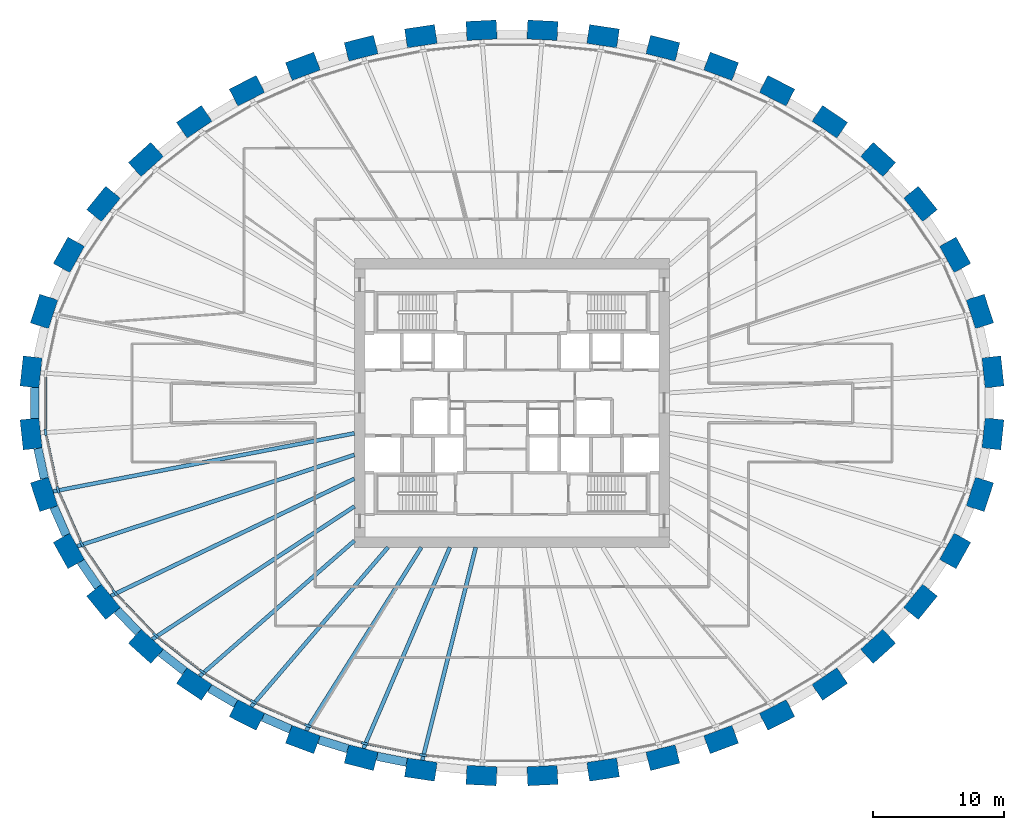
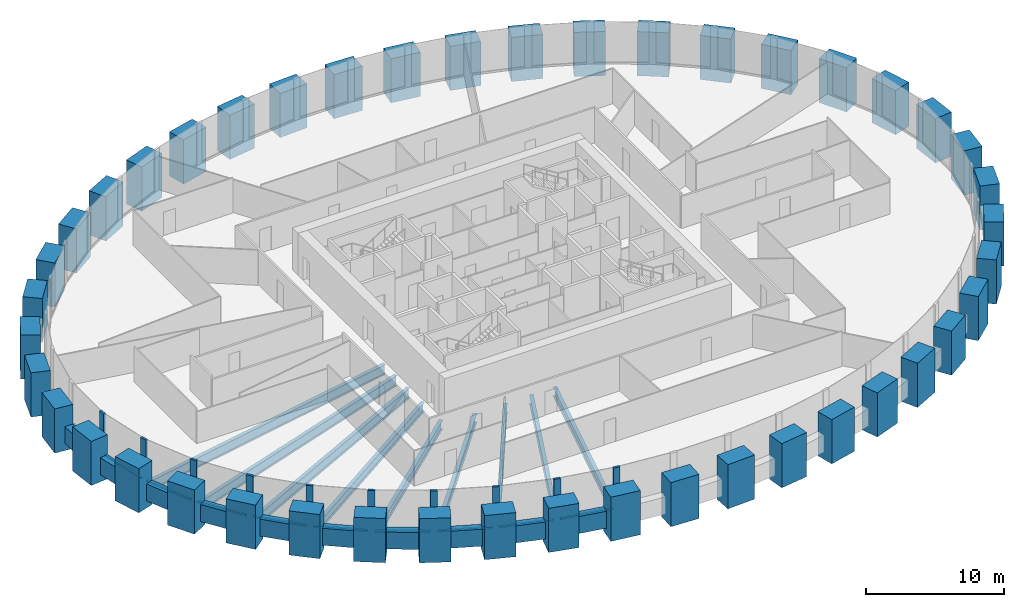
# One storey, part 1 of 11: 44 columns, 20 members, 19 beams, 1 element without a shape of its own.
"""IFC4 building model written with IfcOpenShell, lengths in metres."""

from ifc_helpers import new_model, si_unit, direction, frame, origin, origin_2d, place, context, subcontext, project, spatial, rectangle, i_section, extrude, source, transform, mapped, material, material_profile, profile_set, type_object, element, aggregate, save


model = new_model("IFC4")

# Units and contexts
model_context = context("Model", 3, precision=1e-05, world=origin(), true_north=direction((0.0, 1.0)))
body_context = subcontext(model_context, "Body", "Model", "MODEL_VIEW")
ifc_project = project(units=[si_unit("LENGTHUNIT", "METRE"), si_unit("AREAUNIT", "SQUARE_METRE"), si_unit("VOLUMEUNIT", "CUBIC_METRE"), si_unit("PLANEANGLEUNIT", "RADIAN"), si_unit("MASSUNIT", "GRAM", prefix="KILO")], contexts=[model_context])

# Site, building, storey
site_placement = place(None, origin())
site = spatial("IfcSite", under=ifc_project, at=site_placement, CompositionType="ELEMENT")
building_placement = place(site_placement, origin())
building = spatial("IfcBuilding", under=site, at=building_placement, Name="Embergate Tower", CompositionType="ELEMENT")
storey_placement = place(building_placement, frame((0.0, 0.0, 187.199951171875)))
storey = spatial("IfcBuildingStorey", under=building, at=storey_placement, Name="L42", CompositionType="ELEMENT", Elevation=187.199951171875)

# Columns
ifc_material_1 = material(Name="Concrete C70", Category="concrete")
ifc_material_profile_1 = material_profile(ifc_material_1, rectangle(XDim=1.449951171875, YDim=2.300048828125, at=origin_2d()), Name="RC 1450x2300")
ifc_profile_set_1 = profile_set([ifc_material_profile_1], Name="Concrete C70")
column_type = type_object("IfcColumnType", Name="Ring column RC 1450x2300 C70", PredefinedType="COLUMN", material=ifc_profile_set_1)
shared_shape_1 = source(origin(), body_context, "Body", "SweptSolid", [
    extrude(rectangle(XDim=1.449951171875, YDim=2.300048828125, at=origin_2d()), origin(), (0.0, 0.0, 1.0), 3.89990234375),
])
for number, where, z_axis, x_axis, name in (
    (1, (36.626953125, 2.35791015625, -1.39990234375), (0.0, 0.0, 1.0), (0.99428589498, 0.106749983816, 0.0), "COL-L42-00"),
    (2, (35.635009765625, 6.966064453125, -1.39990234375), (0.0, 0.0, 1.0), (0.950754033697, 0.309946394413, 0.0), "COL-L42-01"),
    (3, (33.74609375, 11.27294921875, -1.39990234375), (0.0, 0.0, 1.0), (0.873500465855, 0.486823311018, 0.0), "COL-L42-02"),
    (4, (31.10888671875, 15.152099609375, -1.39990234375), (0.0, 0.0, 1.0), (0.775925311702, 0.630824786022, 0.0), "COL-L42-03"),
    (5, (27.8798828125, 18.5380859375, -1.39990234375), (0.0, 0.0, 1.0), (0.669208424634, 0.74307475021, 0.0), "COL-L42-04"),
    (6, (24.200927734375, 21.409912109375, -1.39990234375), (0.0, 0.0, 1.0), (0.560393279442, 0.828226643109, 0.0), "COL-L42-05"),
    (7, (20.18603515625, 23.77099609375, -1.39990234375), (0.0, 0.0, 1.0), (0.453010512651, 0.891505174089, 0.0), "COL-L42-06"),
    (8, (15.925048828125, 25.634033203125, -1.39990234375), (0.0, 0.0, 1.0), (0.348343015724, 0.93736713373, 0.0), "COL-L42-07"),
    (9, (11.489013671875, 27.01611328125, -1.39990234375), (0.0, 0.0, 1.0), (0.24650851817, 0.969140624713, 0.0), "COL-L42-08"),
    (10, (6.93798828125, 27.927978515625, -1.39990234375), (0.0, 0.0, 1.0), (0.146929011949, 0.989147039346, 0.0), "COL-L42-09"),
    (11, (2.320068359375, 28.382080078125, -1.39990234375), (0.0, 0.0, 1.0), (0.048814904854, 0.998807841912, 0.0), "COL-L42-10"),
    (12, (-2.320068359375, 28.382080078125, -1.39990234375), (0.0, 0.0, 1.0), (-0.048814904854, 0.998807841912, 0.0), "COL-L42-11"),
    (13, (-6.93798828125, 27.927978515625, -1.39990234375), (0.0, 0.0, 1.0), (-0.146929011949, 0.989147039346, 0.0), "COL-L42-12"),
    (14, (-11.489013671875, 27.01611328125, -1.39990234375), (0.0, 0.0, 1.0), (-0.24650851817, 0.969140624713, 0.0), "COL-L42-13"),
    (15, (-15.925048828125, 25.634033203125, -1.39990234375), (0.0, 0.0, 1.0), (-0.348343015724, 0.93736713373, 0.0), "COL-L42-14"),
    (16, (-20.18603515625, 23.77099609375, -1.39990234375), (0.0, 0.0, 1.0), (-0.453010512651, 0.891505174089, 0.0), "COL-L42-15"),
    (17, (-24.200927734375, 21.409912109375, -1.39990234375), (0.0, 0.0, 1.0), (-0.560393279442, 0.828226643109, 0.0), "COL-L42-16"),
    (18, (-27.8798828125, 18.5380859375, -1.39990234375), (0.0, 0.0, 1.0), (-0.669208424634, 0.74307475021, 0.0), "COL-L42-17"),
    (19, (-31.10888671875, 15.152099609375, -1.39990234375), (0.0, 0.0, 1.0), (-0.775925311702, 0.630824786022, 0.0), "COL-L42-18"),
    (20, (-33.74609375, 11.27294921875, -1.39990234375), (0.0, 0.0, 1.0), (-0.873500465855, 0.486823311018, 0.0), "COL-L42-19"),
    (21, (-35.635009765625, 6.966064453125, -1.39990234375), (0.0, 0.0, 1.0), (-0.950754033697, 0.309946394413, 0.0), "COL-L42-20"),
    (22, (-36.626953125, 2.35791015625, -1.39990234375), (0.0, 0.0, 1.0), (-0.99428589498, 0.106749983816, 0.0), "COL-L42-21"),
    (23, (-36.626953125, -2.35791015625, -1.39990234375), (0.0, 0.0, 1.0), (-0.99428589498, -0.106749983816, 0.0), "COL-L42-22"),
    (24, (-35.635009765625, -6.966064453125, -1.39990234375), (0.0, 0.0, 1.0), (-0.950754033697, -0.309946394413, 0.0), "COL-L42-23"),
    (25, (-33.74609375, -11.27294921875, -1.39990234375), (0.0, 0.0, 1.0), (-0.873500465855, -0.486823311018, 0.0), "COL-L42-24"),
    (26, (-31.10888671875, -15.152099609375, -1.39990234375), (0.0, 0.0, 1.0), (-0.775925311702, -0.630824786022, 0.0), "COL-L42-25"),
    (27, (-27.8798828125, -18.5380859375, -1.39990234375), (0.0, 0.0, 1.0), (-0.669208424634, -0.74307475021, 0.0), "COL-L42-26"),
    (28, (-24.200927734375, -21.409912109375, -1.39990234375), (0.0, 0.0, 1.0), (-0.560393279442, -0.828226643109, 0.0), "COL-L42-27"),
    (29, (-20.18603515625, -23.77099609375, -1.39990234375), (0.0, 0.0, 1.0), (-0.453010512651, -0.891505174089, 0.0), "COL-L42-28"),
    (30, (-15.925048828125, -25.634033203125, -1.39990234375), (0.0, 0.0, 1.0), (-0.348343015724, -0.93736713373, 0.0), "COL-L42-29"),
    (31, (-11.489013671875, -27.01611328125, -1.39990234375), (0.0, 0.0, 1.0), (-0.24650851817, -0.969140624713, 0.0), "COL-L42-30"),
    (32, (-6.93798828125, -27.927978515625, -1.39990234375), (0.0, 0.0, 1.0), (-0.146929011949, -0.989147039346, 0.0), "COL-L42-31"),
    (33, (-2.320068359375, -28.382080078125, -1.39990234375), (0.0, 0.0, 1.0), (-0.048814904854, -0.998807841912, 0.0), "COL-L42-32"),
    (34, (2.320068359375, -28.382080078125, -1.39990234375), (0.0, 0.0, 1.0), (0.048814904854, -0.998807841912, 0.0), "COL-L42-33"),
    (35, (6.93798828125, -27.927978515625, -1.39990234375), (0.0, 0.0, 1.0), (0.146929011949, -0.989147039346, 0.0), "COL-L42-34"),
    (36, (11.489013671875, -27.01611328125, -1.39990234375), (0.0, 0.0, 1.0), (0.24650851817, -0.969140624713, 0.0), "COL-L42-35"),
    (37, (15.925048828125, -25.634033203125, -1.39990234375), (0.0, 0.0, 1.0), (0.348343015724, -0.93736713373, 0.0), "COL-L42-36"),
    (38, (20.18603515625, -23.77099609375, -1.39990234375), (0.0, 0.0, 1.0), (0.453010512651, -0.891505174089, 0.0), "COL-L42-37"),
    (39, (24.200927734375, -21.409912109375, -1.39990234375), (0.0, 0.0, 1.0), (0.560393279442, -0.828226643109, 0.0), "COL-L42-38"),
    (40, (27.8798828125, -18.5380859375, -1.39990234375), (0.0, 0.0, 1.0), (0.669208424634, -0.74307475021, 0.0), "COL-L42-39"),
    (41, (31.10888671875, -15.152099609375, -1.39990234375), (0.0, 0.0, 1.0), (0.775925311702, -0.630824786022, 0.0), "COL-L42-40"),
    (42, (33.74609375, -11.27294921875, -1.39990234375), (0.0, 0.0, 1.0), (0.873500465855, -0.486823311018, 0.0), "COL-L42-41"),
    (43, (35.635009765625, -6.966064453125, -1.39990234375), (0.0, 0.0, 1.0), (0.950754033697, -0.309946394413, 0.0), "COL-L42-42"),
    (44, (36.626953125, -2.35791015625, -1.39990234375), (0.0, 0.0, 1.0), (0.99428589498, -0.106749983816, 0.0), "COL-L42-43"),
):
    element("IfcColumn", number, at=place(storey_placement, frame(where, z_axis=z_axis, x_axis=x_axis)), inside=storey, type_object=column_type, Name=name, PredefinedType="COLUMN", context=body_context, shape_type="MappedRepresentation", body=[
        mapped(shared_shape_1, transform((0.0, 0.0, 0.0))),
    ])

# Beams
ifc_material_profile_2 = material_profile(ifc_material_1, rectangle(XDim=0.64990234375, YDim=1.5, at=origin_2d()), Name="RC 650x1500")
ifc_profile_set_2 = profile_set([ifc_material_profile_2], Name="Concrete C70")
beam_type_1 = type_object("IfcBeamType", Name="Spandrel beam RC 650x1500 C70", PredefinedType="BEAM", material=ifc_profile_set_2)
shared_shape_2 = source(origin(), body_context, "Body", "SweptSolid", [
    extrude(rectangle(XDim=0.64990234375, YDim=1.5, at=origin_2d()), origin(), (0.0, 0.0, 1.0), 2.34375),
])
beam_1_placement = place(storey_placement, frame((-36.10791015625, -3.458984375, 0.0), z_axis=(0.210738330645, -0.977542508537, 0.0), x_axis=(0.977542508537, 0.210738330645, 0.0)))
element("IfcBeam", 45, at=beam_1_placement, inside=storey, type_object=beam_type_1, Name="SPN-L42-22", PredefinedType="BEAM", context=body_context, shape_type="MappedRepresentation", body=[
    mapped(shared_shape_2, transform((0.0, 0.0, 0.0))),
])
shared_shape_3 = source(origin(), body_context, "Body", "SweptSolid", [
    extrude(rectangle(XDim=0.64990234375, YDim=1.5, at=origin_2d()), origin(), (0.0, 0.0, 1.0), 2.3349609375),
])
beam_2_placement = place(storey_placement, frame((-34.887939453125, -7.931884765625, 0.0), z_axis=(0.401729187016, -0.915758516368, 0.0), x_axis=(0.915758516368, 0.401729187016, 0.0)))
element("IfcBeam", 46, at=beam_2_placement, inside=storey, type_object=beam_type_1, Name="SPN-L42-23", PredefinedType="BEAM", context=body_context, shape_type="MappedRepresentation", body=[
    mapped(shared_shape_3, transform((0.0, 0.0, 0.0))),
])
shared_shape_4 = source(origin(), body_context, "Body", "SweptSolid", [
    extrude(rectangle(XDim=0.64990234375, YDim=1.5, at=origin_2d()), origin(), (0.0, 0.0, 1.0), 2.329345703125),
])
beam_3_placement = place(storey_placement, frame((-32.8359375, -12.0830078125, 0.0), z_axis=(0.562416089232, -0.826854366, 0.0), x_axis=(0.826854366, 0.562416089232, 0.0)))
element("IfcBeam", 47, at=beam_3_placement, inside=storey, type_object=beam_type_1, Name="SPN-L42-24", PredefinedType="BEAM", context=body_context, shape_type="MappedRepresentation", body=[
    mapped(shared_shape_4, transform((0.0, 0.0, 0.0))),
])
shared_shape_5 = source(origin(), body_context, "Body", "SweptSolid", [
    extrude(rectangle(XDim=0.64990234375, YDim=1.5, at=origin_2d()), origin(), (0.0, 0.0, 1.0), 2.322265625),
])
beam_4_placement = place(storey_placement, frame((-30.06591796875, -15.785888671875, 0.0), z_axis=(0.690300694886, -0.723522598569, 0.0), x_axis=(0.723522598569, 0.690300694886, 0.0)))
element("IfcBeam", 48, at=beam_4_placement, inside=storey, type_object=beam_type_1, Name="SPN-L42-25", PredefinedType="BEAM", context=body_context, shape_type="MappedRepresentation", body=[
    mapped(shared_shape_5, transform((0.0, 0.0, 0.0))),
])
shared_shape_6 = source(origin(), body_context, "Body", "SweptSolid", [
    extrude(rectangle(XDim=0.64990234375, YDim=1.5, at=origin_2d()), origin(), (0.0, 0.0, 1.0), 2.31787109375),
])
beam_5_placement = place(storey_placement, frame((-26.758056640625, -19.010009765625, 0.0), z_axis=(0.788324506127, -0.615259679354, 0.0), x_axis=(0.615259679354, 0.788324506127, 0.0)))
element("IfcBeam", 49, at=beam_5_placement, inside=storey, type_object=beam_type_1, Name="SPN-L42-26", PredefinedType="BEAM", context=body_context, shape_type="MappedRepresentation", body=[
    mapped(shared_shape_6, transform((0.0, 0.0, 0.0))),
])
shared_shape_7 = source(origin(), body_context, "Body", "SweptSolid", [
    extrude(rectangle(XDim=0.64990234375, YDim=1.5, at=origin_2d()), origin(), (0.0, 0.0, 1.0), 2.31298828125),
])
beam_6_placement = place(storey_placement, frame((-23.029052734375, -21.72998046875, 0.0), z_axis=(0.86210510292, -0.506729505279, 0.0), x_axis=(0.506729505279, 0.86210510292, 0.0)))
element("IfcBeam", 50, at=beam_6_placement, inside=storey, type_object=beam_type_1, Name="SPN-L42-27", PredefinedType="BEAM", context=body_context, shape_type="MappedRepresentation", body=[
    mapped(shared_shape_7, transform((0.0, 0.0, 0.0))),
])
shared_shape_8 = source(origin(), body_context, "Body", "SweptSolid", [
    extrude(rectangle(XDim=0.64990234375, YDim=1.5, at=origin_2d()), origin(), (0.0, 0.0, 1.0), 2.30810546875),
])
beam_7_placement = place(storey_placement, frame((-18.97705078125, -23.929931640625, 0.0), z_axis=(0.91635386748, -0.40036931645, 0.0), x_axis=(0.40036931645, 0.91635386748, 0.0)))
element("IfcBeam", 51, at=beam_7_placement, inside=storey, type_object=beam_type_1, Name="SPN-L42-28", PredefinedType="BEAM", context=body_context, shape_type="MappedRepresentation", body=[
    mapped(shared_shape_8, transform((0.0, 0.0, 0.0))),
])
shared_shape_9 = source(origin(), body_context, "Body", "SweptSolid", [
    extrude(rectangle(XDim=0.64990234375, YDim=1.5, at=origin_2d()), origin(), (0.0, 0.0, 1.0), 2.306640625),
])
beam_8_placement = place(storey_placement, frame((-14.70703125, -25.657958984375, 0.0), z_axis=(0.954743281812, -0.297431111074, 0.0), x_axis=(0.297431111074, 0.954743281812, 0.0)))
element("IfcBeam", 52, at=beam_8_placement, inside=storey, type_object=beam_type_1, Name="SPN-L42-29", PredefinedType="BEAM", context=body_context, shape_type="MappedRepresentation", body=[
    mapped(shared_shape_9, transform((0.0, 0.0, 0.0))),
])
shared_shape_10 = source(origin(), body_context, "Body", "SweptSolid", [
    extrude(rectangle(XDim=0.64990234375, YDim=1.5, at=origin_2d()), origin(), (0.0, 0.0, 1.0), 2.3037109375),
])
beam_9_placement = place(storey_placement, frame((-10.27587890625, -26.9130859375, 0.0), z_axis=(0.980486815957, -0.196584851232, 0.0), x_axis=(0.196584851232, 0.980486815957, 0.0)))
element("IfcBeam", 53, at=beam_9_placement, inside=storey, type_object=beam_type_1, Name="SPN-L42-30", PredefinedType="BEAM", context=body_context, shape_type="MappedRepresentation", body=[
    mapped(shared_shape_10, transform((0.0, 0.0, 0.0))),
])
shared_shape_11 = source(origin(), body_context, "Body", "SweptSolid", [
    extrude(rectangle(XDim=0.64990234375, YDim=1.5, at=origin_2d()), origin(), (0.0, 0.0, 1.0), 2.34423828125),
])
beam_10_placement = place(storey_placement, frame((-36.35107421875, 1.172119140625, 0.0), z_axis=(0.0, -1.0, 0.0), x_axis=(1.0, 0.0, 0.0)))
element("IfcBeam", 54, at=beam_10_placement, inside=storey, type_object=beam_type_1, Name="SPN-L42-21", PredefinedType="BEAM", context=body_context, shape_type="MappedRepresentation", body=[
    mapped(shared_shape_11, transform((0.0, 0.0, 0.0))),
])
ifc_material_2 = material(Name="Steel Q355B", Category="steel")
ifc_material_profile_3 = material_profile(ifc_material_2, i_section(OverallWidth=0.300048828125, OverallDepth=0.89990234375, WebThickness=0.01611328125, FlangeThickness=0.028076171875, FilletRadius=0.028076171875, at=origin_2d()), Name="HN 900x300x16x28")
ifc_profile_set_3 = profile_set([ifc_material_profile_3], Name="Steel Q355 grade B")
beam_type_2 = type_object("IfcBeamType", Name="Radial girder HN 900x300x16x28", PredefinedType="BEAM", material=ifc_profile_set_3)
shared_shape_12 = source(origin(), body_context, "Body", "SweptSolid", [
    extrude(i_section(OverallWidth=0.300048828125, OverallDepth=0.89990234375, WebThickness=0.01611328125, FlangeThickness=0.028076171875, FilletRadius=0.028076171875, at=origin_2d()), origin(), (0.0, 0.0, 1.0), 23.368896484375),
])
beam_11_placement = place(storey_placement, frame((-34.946044921875, -6.740966796875, -0.64990234375), z_axis=(0.981900554316, 0.189397205456, 0.0), x_axis=(-0.189397205456, 0.981900554316, 0.0)))
element("IfcBeam", 55, at=beam_11_placement, inside=storey, type_object=beam_type_2, Name="GIR-L42-23", PredefinedType="BEAM", context=body_context, shape_type="MappedRepresentation", body=[
    mapped(shared_shape_12, transform((0.0, 0.0, 0.0))),
])
shared_shape_13 = source(origin(), body_context, "Body", "SweptSolid", [
    extrude(i_section(OverallWidth=0.300048828125, OverallDepth=0.89990234375, WebThickness=0.01611328125, FlangeThickness=0.028076171875, FilletRadius=0.028076171875, at=origin_2d()), origin(), (0.0, 0.0, 1.0), 22.2314453125),
])
beam_12_placement = place(storey_placement, frame((-33.113037109375, -10.919921875, -0.64990234375), z_axis=(0.949687686315, 0.313198496903, 0.0), x_axis=(-0.313198496903, 0.949687686315, 0.0)))
element("IfcBeam", 56, at=beam_12_placement, inside=storey, type_object=beam_type_2, Name="GIR-L42-24", PredefinedType="BEAM", context=body_context, shape_type="MappedRepresentation", body=[
    mapped(shared_shape_13, transform((0.0, 0.0, 0.0))),
])
shared_shape_14 = source(origin(), body_context, "Body", "SweptSolid", [
    extrude(i_section(OverallWidth=0.300048828125, OverallDepth=0.89990234375, WebThickness=0.01611328125, FlangeThickness=0.028076171875, FilletRadius=0.028076171875, at=origin_2d()), origin(), (0.0, 0.0, 1.0), 20.580322265625),
])
beam_13_placement = place(storey_placement, frame((-30.5458984375, -14.695068359375, -0.64990234375), z_axis=(0.901141928055, 0.433524192522, 0.0), x_axis=(-0.433524192522, 0.901141928055, 0.0)))
element("IfcBeam", 57, at=beam_13_placement, inside=storey, type_object=beam_type_2, Name="GIR-L42-25", PredefinedType="BEAM", context=body_context, shape_type="MappedRepresentation", body=[
    mapped(shared_shape_14, transform((0.0, 0.0, 0.0))),
])
ifc_material_profile_4 = material_profile(ifc_material_2, i_section(OverallWidth=0.300048828125, OverallDepth=0.800048828125, WebThickness=0.013916015625, FlangeThickness=0.02587890625, FilletRadius=0.028076171875, at=origin_2d()), Name="HN 800x300x14x26")
ifc_profile_set_4 = profile_set([ifc_material_profile_4], Name="Steel Q355 grade B")
beam_type_3 = type_object("IfcBeamType", Name="Radial girder HN 800x300x14x26", PredefinedType="BEAM", material=ifc_profile_set_4)
shared_shape_15 = source(origin(), body_context, "Body", "SweptSolid", [
    extrude(i_section(OverallWidth=0.300048828125, OverallDepth=0.800048828125, WebThickness=0.013916015625, FlangeThickness=0.02587890625, FilletRadius=0.028076171875, at=origin_2d()), origin(), (0.0, 0.0, 1.0), 18.420654296875),
])
beam_14_placement = place(storey_placement, frame((-27.39501953125, -17.9990234375, -0.599853515625), z_axis=(0.835748751714, 0.549112032292, 0.0), x_axis=(-0.549112032292, 0.835748751714, 0.0)))
element("IfcBeam", 58, at=beam_14_placement, inside=storey, type_object=beam_type_3, Name="GIR-L42-26", PredefinedType="BEAM", context=body_context, shape_type="MappedRepresentation", body=[
    mapped(shared_shape_15, transform((0.0, 0.0, 0.0))),
])
shared_shape_16 = source(origin(), body_context, "Body", "SweptSolid", [
    extrude(i_section(OverallWidth=0.300048828125, OverallDepth=0.800048828125, WebThickness=0.013916015625, FlangeThickness=0.02587890625, FilletRadius=0.028076171875, at=origin_2d()), origin(), (0.0, 0.0, 1.0), 15.6689453125),
])
beam_15_placement = place(storey_placement, frame((-23.794921875, -20.81005859375, -0.599853515625), z_axis=(0.752754264338, 0.658301615919, 0.0), x_axis=(-0.658301615919, 0.752754264338, 0.0)))
element("IfcBeam", 59, at=beam_15_placement, inside=storey, type_object=beam_type_3, Name="GIR-L42-27", PredefinedType="BEAM", context=body_context, shape_type="MappedRepresentation", body=[
    mapped(shared_shape_16, transform((0.0, 0.0, 0.0))),
])
shared_shape_17 = source(origin(), body_context, "Body", "SweptSolid", [
    extrude(i_section(OverallWidth=0.300048828125, OverallDepth=0.800048828125, WebThickness=0.013916015625, FlangeThickness=0.02587890625, FilletRadius=0.028076171875, at=origin_2d()), origin(), (0.0, 0.0, 1.0), 15.98193359375),
])
beam_16_placement = place(storey_placement, frame((-19.85791015625, -23.125, -0.599853515625), z_axis=(0.651476732158, 0.758668615047, 0.0), x_axis=(-0.758668615047, 0.651476732158, 0.0)))
element("IfcBeam", 60, at=beam_16_placement, inside=storey, type_object=beam_type_3, Name="GIR-L42-28", PredefinedType="BEAM", context=body_context, shape_type="MappedRepresentation", body=[
    mapped(shared_shape_17, transform((0.0, 0.0, 0.0))),
])
shared_shape_18 = source(origin(), body_context, "Body", "SweptSolid", [
    extrude(i_section(OverallWidth=0.300048828125, OverallDepth=0.800048828125, WebThickness=0.013916015625, FlangeThickness=0.02587890625, FilletRadius=0.028076171875, at=origin_2d()), origin(), (0.0, 0.0, 1.0), 16.47802734375),
])
beam_17_placement = place(storey_placement, frame((-15.672119140625, -24.9541015625, -0.599853515625), z_axis=(0.531867473593, 0.846827603786, 0.0), x_axis=(-0.846827603786, 0.531867473593, 0.0)))
element("IfcBeam", 61, at=beam_17_placement, inside=storey, type_object=beam_type_3, Name="GIR-L42-29", PredefinedType="BEAM", context=body_context, shape_type="MappedRepresentation", body=[
    mapped(shared_shape_18, transform((0.0, 0.0, 0.0))),
])
shared_shape_19 = source(origin(), body_context, "Body", "SweptSolid", [
    extrude(i_section(OverallWidth=0.300048828125, OverallDepth=0.800048828125, WebThickness=0.013916015625, FlangeThickness=0.02587890625, FilletRadius=0.028076171875, at=origin_2d()), origin(), (0.0, 0.0, 1.0), 16.667724609375),
])
beam_18_placement = place(storey_placement, frame((-11.31005859375, -26.31298828125, -0.599853515625), z_axis=(0.394898441687, 0.918724779655, 0.0), x_axis=(-0.918724779655, 0.394898441687, 0.0)))
element("IfcBeam", 62, at=beam_18_placement, inside=storey, type_object=beam_type_3, Name="GIR-L42-30", PredefinedType="BEAM", context=body_context, shape_type="MappedRepresentation", body=[
    mapped(shared_shape_19, transform((0.0, 0.0, 0.0))),
])
shared_shape_20 = source(origin(), body_context, "Body", "SweptSolid", [
    extrude(i_section(OverallWidth=0.300048828125, OverallDepth=0.800048828125, WebThickness=0.013916015625, FlangeThickness=0.02587890625, FilletRadius=0.028076171875, at=origin_2d()), origin(), (0.0, 0.0, 1.0), 16.7138671875),
])
beam_19_placement = place(storey_placement, frame((-6.8310546875, -27.2109375, -0.599853515625), z_axis=(0.243456622588, 0.969911786153, 0.0), x_axis=(-0.969911786153, 0.243456622588, 0.0)))
element("IfcBeam", 63, at=beam_19_placement, inside=storey, type_object=beam_type_3, Name="GIR-L42-31", PredefinedType="BEAM", context=body_context, shape_type="MappedRepresentation", body=[
    mapped(shared_shape_20, transform((0.0, 0.0, 0.0))),
])

# Curtain wall, members
ifc_material_3 = material(Name="Aluminium and glass", Category="aluminium")
curtain_wall_type = type_object("IfcCurtainWallType", Name="Recessed office glazing", PredefinedType="NOTDEFINED", material=ifc_material_3)
curtain_wall_placement = place(storey_placement, origin())
curtain_wall = element("IfcCurtainWall", 64, at=curtain_wall_placement, inside=storey, type_object=curtain_wall_type, Name="Recessed office glazing ring", ObjectType="RECESSED OFFICE GLAZING", PredefinedType="USERDEFINED")
ifc_material_4 = material(Name="Aluminium, thermally broken", Category="aluminium")
ifc_material_profile_5 = material_profile(ifc_material_4, rectangle(XDim=0.179931640625, YDim=0.52001953125, at=origin_2d()), Name="AL 520x180")
ifc_profile_set_5 = profile_set([ifc_material_profile_5], Name="Aluminium, thermally broken")
member_type_1 = type_object("IfcMemberType", Name="Office mullion", PredefinedType="MULLION", material=ifc_profile_set_5)
shared_shape_21 = source(origin(), body_context, "Body", "SweptSolid", [
    extrude(rectangle(XDim=0.179931640625, YDim=0.52001953125, at=origin_2d()), origin(), (0.0, 0.0, 1.0), 3.699951171875),
])
member_1_placement = place(storey_placement, frame((-35.51806640625, -2.2392578125, 0.0), z_axis=(0.0, 0.0, 1.0), x_axis=(0.994384954736, 0.105823257345, 0.0)))
member_1 = element("IfcMember", 65, at=member_1_placement, type_object=member_type_1, Name="CW mullion 23", PredefinedType="MULLION", context=body_context, shape_type="MappedRepresentation", body=[
    mapped(shared_shape_21, transform((0.0, 0.0, 0.0))),
])
member_2_placement = place(storey_placement, frame((-34.5751953125, -6.6201171875, 0.0), z_axis=(0.0, 0.0, 1.0), x_axis=(0.951497797992, 0.307655554826, 0.0)))
member_2 = element("IfcMember", 66, at=member_2_placement, type_object=member_type_1, Name="CW mullion 24", PredefinedType="MULLION", context=body_context, shape_type="MappedRepresentation", body=[
    mapped(shared_shape_21, transform((0.0, 0.0, 0.0))),
])
member_3_placement = place(storey_placement, frame((-32.7724609375, -10.73046875, 0.0), z_axis=(0.0, 0.0, 1.0), x_axis=(0.875002740779, 0.484117964581, 0.0)))
member_3 = element("IfcMember", 67, at=member_3_placement, type_object=member_type_1, Name="CW mullion 25", PredefinedType="MULLION", context=body_context, shape_type="MappedRepresentation", body=[
    mapped(shared_shape_21, transform((0.0, 0.0, 0.0))),
])
member_4_placement = place(storey_placement, frame((-30.24365234375, -14.448974609375, 0.0), z_axis=(0.0, 0.0, 1.0), x_axis=(0.777873661157, 0.62842069291, 0.0)))
member_4 = element("IfcMember", 68, at=member_4_placement, type_object=member_type_1, Name="CW mullion 26", PredefinedType="MULLION", context=body_context, shape_type="MappedRepresentation", body=[
    mapped(shared_shape_21, transform((0.0, 0.0, 0.0))),
])
member_5_placement = place(storey_placement, frame((-27.13427734375, -17.709716796875, 0.0), z_axis=(0.0, 0.0, 1.0), x_axis=(0.671229121411, 0.741249935292, 0.0)))
member_5 = element("IfcMember", 69, at=member_5_placement, type_object=member_type_1, Name="CW mullion 27", PredefinedType="MULLION", context=body_context, shape_type="MappedRepresentation", body=[
    mapped(shared_shape_21, transform((0.0, 0.0, 0.0))),
])
member_6_placement = place(storey_placement, frame((-23.576416015625, -20.486328125, 0.0), z_axis=(0.0, 0.0, 1.0), x_axis=(0.562219061911, 0.826988347211, 0.0)))
member_6 = element("IfcMember", 70, at=member_6_placement, type_object=member_type_1, Name="CW mullion 28", PredefinedType="MULLION", context=body_context, shape_type="MappedRepresentation", body=[
    mapped(shared_shape_21, transform((0.0, 0.0, 0.0))),
])
member_7_placement = place(storey_placement, frame((-19.680908203125, -22.776611328125, 0.0), z_axis=(0.0, 0.0, 1.0), x_axis=(0.454512935162, 0.89074013706, 0.0)))
member_7 = element("IfcMember", 71, at=member_7_placement, type_object=member_type_1, Name="CW mullion 29", PredefinedType="MULLION", context=body_context, shape_type="MappedRepresentation", body=[
    mapped(shared_shape_21, transform((0.0, 0.0, 0.0))),
])
member_8_placement = place(storey_placement, frame((-15.536376953125, -24.5888671875, 0.0), z_axis=(0.0, 0.0, 1.0), x_axis=(0.349504318111, 0.93693475313, 0.0)))
member_8 = element("IfcMember", 72, at=member_8_placement, type_object=member_type_1, Name="CW mullion 30", PredefinedType="MULLION", context=body_context, shape_type="MappedRepresentation", body=[
    mapped(shared_shape_21, transform((0.0, 0.0, 0.0))),
])
member_9_placement = place(storey_placement, frame((-11.21435546875, -25.934814453125, 0.0), z_axis=(0.0, 0.0, 1.0), x_axis=(0.247313572481, 0.968935496752, 0.0)))
member_9 = element("IfcMember", 73, at=member_9_placement, type_object=member_type_1, Name="CW mullion 31", PredefinedType="MULLION", context=body_context, shape_type="MappedRepresentation", body=[
    mapped(shared_shape_21, transform((0.0, 0.0, 0.0))),
])
member_10_placement = place(storey_placement, frame((-6.773681640625, -26.825439453125, 0.0), z_axis=(0.0, 0.0, 1.0), x_axis=(0.147412382818, 0.989075118174, 0.0)))
member_10 = element("IfcMember", 74, at=member_10_placement, type_object=member_type_1, Name="CW mullion 32", PredefinedType="MULLION", context=body_context, shape_type="MappedRepresentation", body=[
    mapped(shared_shape_21, transform((0.0, 0.0, 0.0))),
])
ifc_material_profile_6 = material_profile(ifc_material_4, rectangle(XDim=0.179931640625, YDim=0.14990234375, at=origin_2d()), Name="AL 150x180")
ifc_profile_set_6 = profile_set([ifc_material_profile_6], Name="Aluminium, thermally broken")
member_type_2 = type_object("IfcMemberType", Name="Office sill transom", PredefinedType="USERDEFINED", material=ifc_profile_set_6)
shared_shape_22 = source(origin(), body_context, "Body", "SweptSolid", [
    extrude(rectangle(XDim=0.179931640625, YDim=0.14990234375, at=origin_2d()), origin(), (0.0, 0.0, 1.0), 3.96142578125),
])
member_11_placement = place(storey_placement, frame((-35.46337890625, -2.493408203125, 0.074951171875), z_axis=(0.210400224287, -0.977615336224, 0.0), x_axis=(0.977615336224, 0.210400224287, 0.0)))
member_11 = element("IfcMember", 75, at=member_11_placement, type_object=member_type_2, Name="CW transom 23.1", ObjectType="TRANSOM", PredefinedType="USERDEFINED", context=body_context, shape_type="MappedRepresentation", body=[
    mapped(shared_shape_22, transform((0.0, 0.0, 0.0))),
])
shared_shape_23 = source(origin(), body_context, "Body", "SweptSolid", [
    extrude(rectangle(XDim=0.179931640625, YDim=0.14990234375, at=origin_2d()), origin(), (0.0, 0.0, 1.0), 3.968017578125),
])
member_12_placement = place(storey_placement, frame((-34.470703125, -6.8583984375, 0.074951171875), z_axis=(0.401657873891, -0.915789797028, 0.0), x_axis=(0.915789797028, 0.401657873891, 0.0)))
member_12 = element("IfcMember", 76, at=member_12_placement, type_object=member_type_2, Name="CW transom 24.1", ObjectType="TRANSOM", PredefinedType="USERDEFINED", context=body_context, shape_type="MappedRepresentation", body=[
    mapped(shared_shape_23, transform((0.0, 0.0, 0.0))),
])
shared_shape_24 = source(origin(), body_context, "Body", "SweptSolid", [
    extrude(rectangle(XDim=0.179931640625, YDim=0.14990234375, at=origin_2d()), origin(), (0.0, 0.0, 1.0), 3.976806640625),
])
member_13_placement = place(storey_placement, frame((-32.626220703125, -10.9453125, 0.074951171875), z_axis=(0.5623268127, -0.826915083741, 0.0), x_axis=(0.826915083741, 0.5623268127, 0.0)))
member_13 = element("IfcMember", 77, at=member_13_placement, type_object=member_type_2, Name="CW transom 25.1", ObjectType="TRANSOM", PredefinedType="USERDEFINED", context=body_context, shape_type="MappedRepresentation", body=[
    mapped(shared_shape_24, transform((0.0, 0.0, 0.0))),
])
shared_shape_25 = source(origin(), body_context, "Body", "SweptSolid", [
    extrude(rectangle(XDim=0.179931640625, YDim=0.14990234375, at=origin_2d()), origin(), (0.0, 0.0, 1.0), 3.985595703125),
])
member_14_placement = place(storey_placement, frame((-30.064208984375, -14.63720703125, 0.074951171875), z_axis=(0.690123088355, -0.723692008329, 0.0), x_axis=(0.723692008329, 0.690123088355, 0.0)))
member_14 = element("IfcMember", 78, at=member_14_placement, type_object=member_type_2, Name="CW transom 26.1", ObjectType="TRANSOM", PredefinedType="USERDEFINED", context=body_context, shape_type="MappedRepresentation", body=[
    mapped(shared_shape_25, transform((0.0, 0.0, 0.0))),
])
shared_shape_26 = source(origin(), body_context, "Body", "SweptSolid", [
    extrude(rectangle(XDim=0.179931640625, YDim=0.14990234375, at=origin_2d()), origin(), (0.0, 0.0, 1.0), 3.992919921875),
])
member_15_placement = place(storey_placement, frame((-26.92919921875, -17.86962890625, 0.074951171875), z_axis=(0.788310720269, -0.615277342594, 0.0), x_axis=(0.615277342594, 0.788310720269, 0.0)))
member_15 = element("IfcMember", 79, at=member_15_placement, type_object=member_type_2, Name="CW transom 27.1", ObjectType="TRANSOM", PredefinedType="USERDEFINED", context=body_context, shape_type="MappedRepresentation", body=[
    mapped(shared_shape_26, transform((0.0, 0.0, 0.0))),
])
shared_shape_27 = source(origin(), body_context, "Body", "SweptSolid", [
    extrude(rectangle(XDim=0.179931640625, YDim=0.14990234375, at=origin_2d()), origin(), (0.0, 0.0, 1.0), 3.9990234375),
])
member_16_placement = place(storey_placement, frame((-23.352294921875, -20.6181640625, 0.074951171875), z_axis=(0.862037779563, -0.506844025916, 0.0), x_axis=(0.506844025916, 0.862037779563, 0.0)))
member_16 = element("IfcMember", 80, at=member_16_placement, type_object=member_type_2, Name="CW transom 28.1", ObjectType="TRANSOM", PredefinedType="USERDEFINED", context=body_context, shape_type="MappedRepresentation", body=[
    mapped(shared_shape_27, transform((0.0, 0.0, 0.0))),
])
shared_shape_28 = source(origin(), body_context, "Body", "SweptSolid", [
    extrude(rectangle(XDim=0.179931640625, YDim=0.14990234375, at=origin_2d()), origin(), (0.0, 0.0, 1.0), 4.00341796875),
])
member_17_placement = place(storey_placement, frame((-19.442626953125, -22.880859375, 0.074951171875), z_axis=(0.916224504472, -0.400665268529, 0.0), x_axis=(0.400665268529, 0.916224504472, 0.0)))
member_17 = element("IfcMember", 81, at=member_17_placement, type_object=member_type_2, Name="CW transom 29.1", ObjectType="TRANSOM", PredefinedType="USERDEFINED", context=body_context, shape_type="MappedRepresentation", body=[
    mapped(shared_shape_28, transform((0.0, 0.0, 0.0))),
])
shared_shape_29 = source(origin(), body_context, "Body", "SweptSolid", [
    extrude(rectangle(XDim=0.179931640625, YDim=0.14990234375, at=origin_2d()), origin(), (0.0, 0.0, 1.0), 4.006591796875),
])
member_18_placement = place(storey_placement, frame((-15.2880859375, -24.666259765625, 0.074951171875), z_axis=(0.954766855045, -0.297355431273, 0.0), x_axis=(0.297355431273, 0.954766855045, 0.0)))
member_18 = element("IfcMember", 82, at=member_18_placement, type_object=member_type_2, Name="CW transom 30.1", ObjectType="TRANSOM", PredefinedType="USERDEFINED", context=body_context, shape_type="MappedRepresentation", body=[
    mapped(shared_shape_29, transform((0.0, 0.0, 0.0))),
])
shared_shape_30 = source(origin(), body_context, "Body", "SweptSolid", [
    extrude(rectangle(XDim=0.179931640625, YDim=0.14990234375, at=origin_2d()), origin(), (0.0, 0.0, 1.0), 4.009033203125),
])
member_19_placement = place(storey_placement, frame((-10.95947265625, -25.986083984375, 0.074951171875), z_axis=(0.980475131823, -0.196643118053, 0.0), x_axis=(0.196643118053, 0.980475131823, 0.0)))
member_19 = element("IfcMember", 83, at=member_19_placement, type_object=member_type_2, Name="CW transom 31.1", ObjectType="TRANSOM", PredefinedType="USERDEFINED", context=body_context, shape_type="MappedRepresentation", body=[
    mapped(shared_shape_30, transform((0.0, 0.0, 0.0))),
])
shared_shape_31 = source(origin(), body_context, "Body", "SweptSolid", [
    extrude(rectangle(XDim=0.179931640625, YDim=0.14990234375, at=origin_2d()), origin(), (0.0, 0.0, 1.0), 3.95849609375),
])
member_20_placement = place(storey_placement, frame((-35.51806640625, 1.979248046875, 0.074951171875), z_axis=(0.0, -1.0, 0.0), x_axis=(1.0, 0.0, 0.0)))
member_20 = element("IfcMember", 84, at=member_20_placement, type_object=member_type_2, Name="CW transom 22.1", ObjectType="TRANSOM", PredefinedType="USERDEFINED", context=body_context, shape_type="MappedRepresentation", body=[
    mapped(shared_shape_31, transform((0.0, 0.0, 0.0))),
])
aggregate(curtain_wall, [member_1, member_2, member_3, member_4, member_5, member_6, member_7, member_8, member_9, member_10, member_20, member_11, member_12, member_13, member_14, member_15, member_16, member_17, member_18, member_19])

save(model, "model.ifc")
